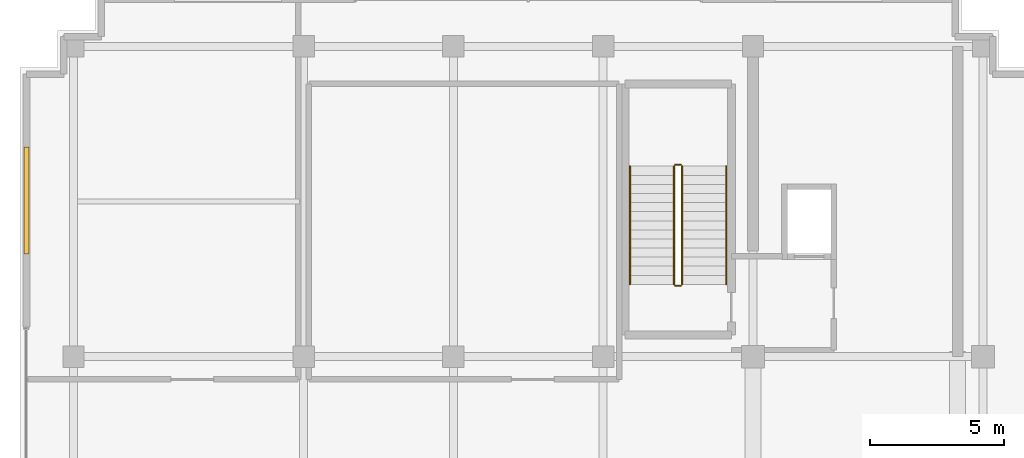
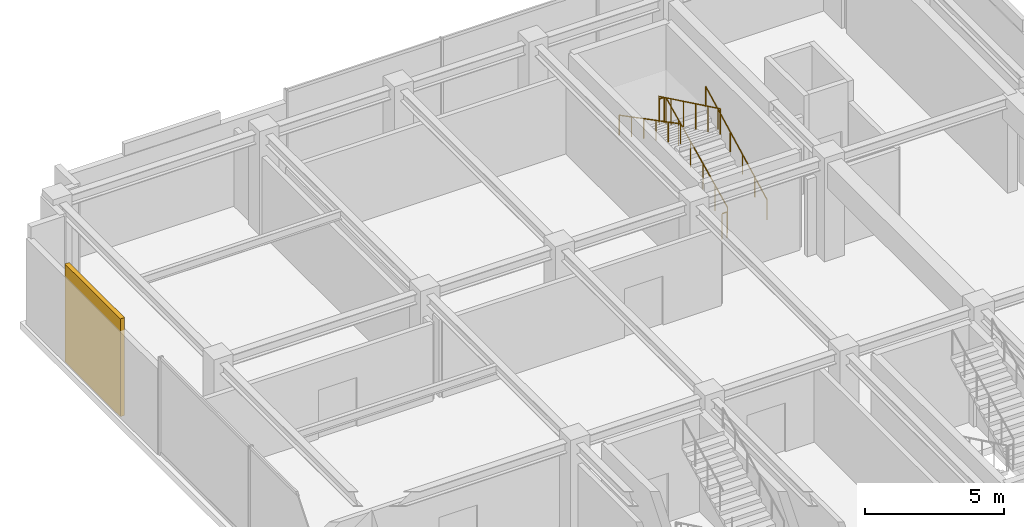
# One storey, part 17 of 18: 6 railings, 1 shading device.
"""IFC4 building model written with IfcOpenShell, lengths in metres."""

from ifc_helpers import new_model, si_unit, direction, frame, origin, origin_2d, place, context, subcontext, project, spatial, rectangle, circle, extrude, source, transform, mapped, material, layer, layer_set, type_object, element, save


model = new_model("IFC4")

# Units and contexts
model_context = context("Model", 3, precision=1e-05, world=origin(), true_north=direction((0.0, 1.0)))
body_context = subcontext(model_context, "Body", "Model", "MODEL_VIEW")
ifc_project = project(units=[si_unit("LENGTHUNIT", "METRE"), si_unit("AREAUNIT", "SQUARE_METRE"), si_unit("VOLUMEUNIT", "CUBIC_METRE"), si_unit("PLANEANGLEUNIT", "RADIAN"), si_unit("MASSUNIT", "GRAM", prefix="KILO")], contexts=[model_context])

# Site, building, storey
site_placement = place(None, origin())
site = spatial("IfcSite", under=ifc_project, at=site_placement, CompositionType="ELEMENT")
building_placement = place(site_placement, origin())
building = spatial("IfcBuilding", under=site, at=building_placement, Name="Nahalor Promenade Grand Hotel", CompositionType="ELEMENT")
storey_placement = place(building_placement, frame((0.0, 0.0, 366.25)))
storey = spatial("IfcBuildingStorey", under=building, at=storey_placement, Name="L93", CompositionType="ELEMENT", Elevation=366.25)

# Railings
ifc_material_1 = material(Name="Steel S355JR", Category="steel")
railing_type_1 = type_object("IfcRailingType", Name="Steel Stair Guardrail 1150 mm", PredefinedType="GUARDRAIL", material=ifc_material_1)
railing_1_placement = place(storey_placement, frame((5.75, 8.10009765625, 0.164306640625)))
element("IfcRailing", 1, at=railing_1_placement, inside=storey, type_object=railing_type_1, Name="L93 ST1 stair guard 1", PredefinedType="GUARDRAIL", context=body_context, shape_type="SweptSolid", body=[
    extrude(circle(Radius=0.024048, at=origin_2d()), frame((0.0, 0.0, 1.1259765625), z_axis=(0.0, 0.900393116817, 0.435077274962), x_axis=(-1.0, 0.0, 0.0)), (0.0, 0.0, 1.0), 4.908935546875),
    extrude(circle(Radius=0.020996, at=origin_2d()), origin(), (0.0, 0.0, 1.0), 1.099853515625),
    extrude(circle(Radius=0.020996, at=origin_2d()), frame((0.0, 0.884033203125, 0.42724609375)), (0.0, 0.0, 1.0), 1.099853515625),
    extrude(circle(Radius=0.020996, at=origin_2d()), frame((0.0, 1.76806640625, 0.854248046875)), (0.0, 0.0, 1.0), 1.099853515625),
    extrude(circle(Radius=0.020996, at=origin_2d()), frame((0.0, 2.65185546875, 1.281494140625)), (0.0, 0.0, 1.0), 1.099853515625),
    extrude(circle(Radius=0.020996, at=origin_2d()), frame((0.0, 3.535888671875, 1.70849609375)), (0.0, 0.0, 1.0), 1.099853515625),
    extrude(circle(Radius=0.020996, at=origin_2d()), frame((0.0, 4.419921875, 2.1357421875)), (0.0, 0.0, 1.0), 1.099853515625),
])
railing_2_placement = place(storey_placement, frame((5.699951171875, 12.570068359375, 2.300048828125)))
element("IfcRailing", 2, at=railing_2_placement, inside=storey, type_object=railing_type_1, Name="L93 ST1 stair guard 2", PredefinedType="GUARDRAIL", context=body_context, shape_type="SweptSolid", body=[
    extrude(circle(Radius=0.024048, at=origin_2d()), frame((0.0, 0.0, 1.1259765625), z_axis=(-1.0, 0.0, 0.0), x_axis=(0.0, -1.0, 0.0)), (0.0, 0.0, 1.0), 0.199951171875),
    extrude(circle(Radius=0.020996, at=origin_2d()), origin(), (0.0, 0.0, 1.0), 1.099853515625),
    extrude(circle(Radius=0.020996, at=origin_2d()), frame((-0.199951171875, 0.0, 0.0)), (0.0, 0.0, 1.0), 1.099853515625),
])
railing_3_placement = place(storey_placement, frame((5.449951171875, 12.52001953125, 2.46435546875)))
element("IfcRailing", 3, at=railing_3_placement, inside=storey, type_object=railing_type_1, Name="L93 ST1 stair guard 3", PredefinedType="GUARDRAIL", context=body_context, shape_type="SweptSolid", body=[
    extrude(circle(Radius=0.024048, at=origin_2d()), frame((0.0, 0.0, 1.1259765625), z_axis=(0.0, -0.900393116817, 0.435077274962), x_axis=(1.0, 0.0, 0.0)), (0.0, 0.0, 1.0), 4.908935546875),
    extrude(circle(Radius=0.020996, at=origin_2d()), origin(), (0.0, 0.0, 1.0), 1.099853515625),
    extrude(circle(Radius=0.020996, at=origin_2d()), frame((0.0, -0.884033203125, 0.42724609375)), (0.0, 0.0, 1.0), 1.099853515625),
    extrude(circle(Radius=0.020996, at=origin_2d()), frame((0.0, -1.76806640625, 0.854248046875)), (0.0, 0.0, 1.0), 1.099853515625),
    extrude(circle(Radius=0.020996, at=origin_2d()), frame((0.0, -2.65185546875, 1.281494140625)), (0.0, 0.0, 1.0), 1.099853515625),
    extrude(circle(Radius=0.020996, at=origin_2d()), frame((0.0, -3.535888671875, 1.70849609375)), (0.0, 0.0, 1.0), 1.099853515625),
    extrude(circle(Radius=0.020996, at=origin_2d()), frame((0.0, -4.419921875, 2.1357421875)), (0.0, 0.0, 1.0), 1.099853515625),
])
railing_4_placement = place(storey_placement, frame((5.699951171875, 8.050048828125, 0.0)))
element("IfcRailing", 4, at=railing_4_placement, inside=storey, type_object=railing_type_1, Name="L93 ST1 stair guard 4", PredefinedType="GUARDRAIL", context=body_context, shape_type="SweptSolid", body=[
    extrude(circle(Radius=0.024048, at=origin_2d()), frame((0.0, 0.0, 1.1259765625), z_axis=(-1.0, 0.0, 0.0), x_axis=(0.0, -1.0, 0.0)), (0.0, 0.0, 1.0), 0.199951171875),
    extrude(circle(Radius=0.020996, at=origin_2d()), origin(), (0.0, 0.0, 1.0), 1.099853515625),
    extrude(circle(Radius=0.020996, at=origin_2d()), frame((-0.199951171875, 0.0, 0.0)), (0.0, 0.0, 1.0), 1.099853515625),
])
railing_type_2 = type_object("IfcRailingType", Name="Steel Stair Handrail 900 mm", PredefinedType="HANDRAIL", material=ifc_material_1)
railing_5_placement = place(storey_placement, frame((7.39990234375, 8.10009765625, 0.164306640625)))
element("IfcRailing", 5, at=railing_5_placement, inside=storey, type_object=railing_type_2, Name="L93 ST1 stair handrail 1", PredefinedType="HANDRAIL", context=body_context, shape_type="SweptSolid", body=[
    extrude(circle(Radius=0.024048, at=origin_2d()), frame((0.0, 0.0, 0.8759765625), z_axis=(0.0, 0.887077971717, 0.461619618402), x_axis=(-1.0, 0.0, 0.0)), (0.0, 0.0, 1.0), 4.982666015625),
    extrude(circle(Radius=0.020996, at=origin_2d()), origin(), (0.0, 0.0, 1.0), 0.849853515625),
    extrude(circle(Radius=0.020996, at=origin_2d()), frame((0.0, 0.884033203125, 0.4599609375)), (0.0, 0.0, 1.0), 0.849853515625),
    extrude(circle(Radius=0.020996, at=origin_2d()), frame((0.0, 1.76806640625, 0.919921875)), (0.0, 0.0, 1.0), 0.849853515625),
    extrude(circle(Radius=0.020996, at=origin_2d()), frame((0.0, 2.65185546875, 1.380126953125)), (0.0, 0.0, 1.0), 0.849853515625),
    extrude(circle(Radius=0.020996, at=origin_2d()), frame((0.0, 3.535888671875, 1.840087890625)), (0.0, 0.0, 1.0), 0.849853515625),
    extrude(circle(Radius=0.020996, at=origin_2d()), frame((0.0, 4.419921875, 2.300048828125)), (0.0, 0.0, 1.0), 0.849853515625),
])
railing_6_placement = place(storey_placement, frame((3.800048828125, 12.52001953125, 2.46435546875)))
element("IfcRailing", 6, at=railing_6_placement, inside=storey, type_object=railing_type_2, Name="L93 ST1 stair handrail 2", PredefinedType="HANDRAIL", context=body_context, shape_type="SweptSolid", body=[
    extrude(circle(Radius=0.024048, at=origin_2d()), frame((0.0, 0.0, 0.8759765625), z_axis=(0.0, -0.887077971717, 0.461619618402), x_axis=(1.0, 0.0, 0.0)), (0.0, 0.0, 1.0), 4.982666015625),
    extrude(circle(Radius=0.020996, at=origin_2d()), origin(), (0.0, 0.0, 1.0), 0.849853515625),
    extrude(circle(Radius=0.020996, at=origin_2d()), frame((0.0, -0.884033203125, 0.4599609375)), (0.0, 0.0, 1.0), 0.849853515625),
    extrude(circle(Radius=0.020996, at=origin_2d()), frame((0.0, -1.76806640625, 0.919921875)), (0.0, 0.0, 1.0), 0.849853515625),
    extrude(circle(Radius=0.020996, at=origin_2d()), frame((0.0, -2.65185546875, 1.380126953125)), (0.0, 0.0, 1.0), 0.849853515625),
    extrude(circle(Radius=0.020996, at=origin_2d()), frame((0.0, -3.535888671875, 1.840087890625)), (0.0, 0.0, 1.0), 0.849853515625),
    extrude(circle(Radius=0.020996, at=origin_2d()), frame((0.0, -4.419921875, 2.300048828125)), (0.0, 0.0, 1.0), 0.849853515625),
])

# Shading device
ifc_material_2 = material(Name="Anodised Bronze Aluminium EN AW-6063 T6", Category="aluminium")
ifc_layer = layer(ifc_material_2, 0.179931640625)
ifc_layer_set = layer_set([ifc_layer], Name="Anodised Bronze Aluminium EN AW-6063 T6")
shading_device_type = type_object("IfcShadingDeviceType", Name="Shade-PlantLouvre-Bronze", PredefinedType="USERDEFINED", material=ifc_layer_set)
shared_shape = source(origin(), body_context, "Body", "SweptSolid", [
    extrude(rectangle(XDim=4.0, YDim=0.179931640625, at=origin_2d()), origin(), (0.0, 0.0, 1.0), 4.300048828125),
])
shading_device_placement = place(storey_placement, frame((-18.760009765625, 11.22998046875, 0.0), z_axis=(0.0, 0.0, 1.0), x_axis=(0.0, 1.0, 0.0)))
element("IfcShadingDevice", 7, at=shading_device_placement, inside=storey, type_object=shading_device_type, Name="LV-L93-WR", ObjectType="LOUVRE", PredefinedType="USERDEFINED", context=body_context, shape_type="MappedRepresentation", body=[
    mapped(shared_shape, transform((0.0, 0.0, 0.0), scale=1.0)),
])

save(model, "model.ifc")
